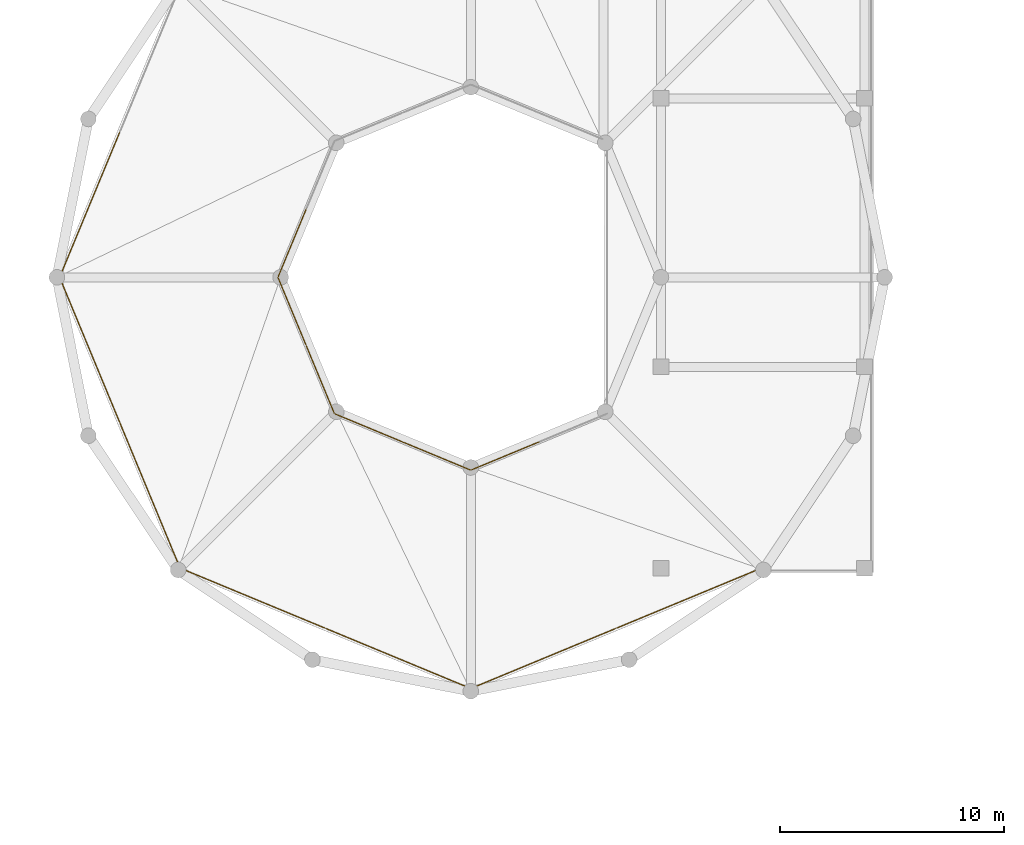
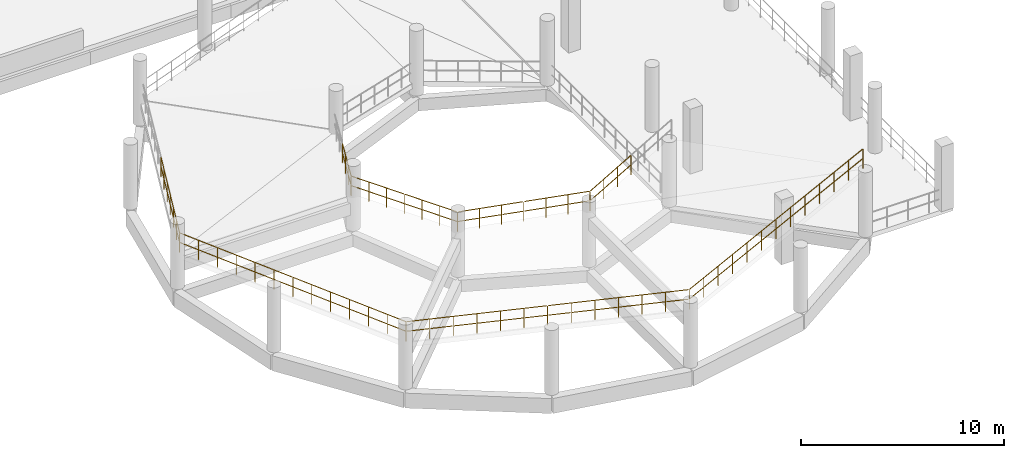
# One storey, part 66 of 76: 13 railings.
"""IFC4 building model written with IfcOpenShell, lengths in metres."""

import ifcopenshell
import ifcopenshell.guid

model = None  # the IFC model being written
_history = None  # IfcOwnerHistory: only IFC2X3 demands one
_inside = {}  # id of a spatial element -> (the spatial element, [elements in it])
_under = {}  # id of a project, library or spatial element -> (it, [spatial elements below it])
_declared = {}  # id of a project -> (the project, [libraries it declares])
_typed = {}  # id of a type object -> (the type object, [elements of that type])
_made_of = {}  # id of a material, layer set ... -> (it, [elements and type objects made of it])


def new_model(schema):
    """Start an empty IFC model of exactly this schema.

    Asked for "IFC4X3", IfcOpenShell would pick the latest addendum, in which some entities
    have other attributes; the version numbers below select the first issue.
    IFC2X3 requires an IfcOwnerHistory on every rooted entity: one is made here for all.
    """
    global model, _history
    if schema == "IFC4X3":
        model = ifcopenshell.file(schema_version=(4, 3, 0, 0))
    else:
        model = ifcopenshell.file(schema=schema)
    _inside.clear()
    _under.clear()
    _declared.clear()
    _typed.clear()
    _made_of.clear()
    _history = None
    if model.schema == "IFC2X3":
        org = make("IfcOrganization", Name="unknown")
        user = make(
            "IfcPersonAndOrganization",
            ThePerson=make("IfcPerson", FamilyName="unknown"),
            TheOrganization=org,
        )
        app = make(
            "IfcApplication",
            ApplicationDeveloper=org,
            Version="unknown",
            ApplicationFullName="unknown",
            ApplicationIdentifier="unknown",
        )
        _history = make(
            "IfcOwnerHistory",
            OwningUser=user,
            OwningApplication=app,
            ChangeAction="ADDED",
            CreationDate=0,
        )
    return model


def make(cls, **values):
    """One entity of the class cls with the attributes given. An attribute that is None is left unset."""
    return model.create_entity(
        cls, **{name: value for name, value in values.items() if value is not None}
    )


def rooted(cls, **values):
    """An entity with a GlobalId (a new one), such as an element, a storey or a relation."""
    return make(cls, GlobalId=ifcopenshell.guid.new(), OwnerHistory=_history, **values)


def si_unit(unit_type, name, prefix=None):
    """IfcSIUnit, for example si_unit("LENGTHUNIT", "METRE", prefix="MILLI")."""
    return make("IfcSIUnit", UnitType=unit_type, Prefix=prefix, Name=name)


def derived_unit(unit_type, elements):
    """IfcDerivedUnit: a product of units, each with its exponent."""
    return make(
        "IfcDerivedUnit",
        Elements=[
            make("IfcDerivedUnitElement", Unit=unit, Exponent=power)
            for unit, power in elements
        ],
        UnitType=unit_type,
    )


def assignment(units):
    """IfcUnitAssignment: the units of a project."""
    return None if units is None else make("IfcUnitAssignment", Units=units)


def point(xyz):
    """IfcCartesianPoint."""
    return None if xyz is None else make("IfcCartesianPoint", Coordinates=xyz)


def direction(xyz):
    """IfcDirection."""
    return None if xyz is None else make("IfcDirection", DirectionRatios=xyz)


def frame(location, z_axis=None, x_axis=None):
    """IfcAxis2Placement3D, a coordinate frame: its origin and axes. An axis left out is left unset."""
    return make(
        "IfcAxis2Placement3D",
        Location=point(location),
        Axis=direction(z_axis),
        RefDirection=direction(x_axis),
    )


def frame_2d(location, x_axis=None):
    """IfcAxis2Placement2D, a coordinate frame in the plane: its origin and x axis."""
    return make(
        "IfcAxis2Placement2D", Location=point(location), RefDirection=direction(x_axis)
    )


def origin():
    """The frame at (0, 0, 0) with its axes left unset."""
    return frame((0.0, 0.0, 0.0))


def origin_2d():
    """The frame at (0, 0) in the plane with its x axis left unset."""
    return frame_2d((0.0, 0.0))


def place(relative_to, where):
    """IfcLocalPlacement: puts the frame where relative to a parent placement (None: the world)."""
    return make(
        "IfcLocalPlacement", PlacementRelTo=relative_to, RelativePlacement=where
    )


def context(
    kind, dimensions, precision=None, world=None, true_north=None, identifier=None
):
    """IfcGeometricRepresentationContext, for example the 3D "Model" context."""
    return make(
        "IfcGeometricRepresentationContext",
        ContextIdentifier=identifier,
        ContextType=kind,
        CoordinateSpaceDimension=dimensions,
        Precision=precision,
        WorldCoordinateSystem=world,
        TrueNorth=true_north,
    )


def subcontext(parent, identifier, kind, view, scale=None):
    """IfcGeometricRepresentationSubContext, for example "Body" below "Model"."""
    return make(
        "IfcGeometricRepresentationSubContext",
        ContextIdentifier=identifier,
        ContextType=kind,
        ParentContext=parent,
        TargetScale=scale,
        TargetView=view,
    )


def project(units=None, contexts=None):
    """IfcProject with its units and contexts."""
    return rooted(
        "IfcProject",
        Name="project",
        RepresentationContexts=contexts,
        UnitsInContext=assignment(units),
    )


def spatial(cls, under=None, at=None, **own):
    """A site, building, storey or space (cls), placed at a placement, below another one or the project."""
    s = rooted(cls, ObjectPlacement=at, **own)
    if under is not None:
        _under.setdefault(under.id(), (under, []))[1].append(s)
    return s


def profile(cls, at=None, kind="AREA", **sizes):
    """A parametric profile (cls). Its sizes go by their IFC names, for example OverallWidth=200.0."""
    return make(cls, ProfileType=kind, Position=at, **sizes)


def circle(**sizes):
    """IfcCircleProfileDef."""
    return profile("IfcCircleProfileDef", **sizes)


def extrude(swept, where, along, depth):
    """IfcExtrudedAreaSolid: the profile swept, set in the frame where, extruded along a direction by depth."""
    return make(
        "IfcExtrudedAreaSolid",
        SweptArea=swept,
        Position=where,
        ExtrudedDirection=direction(along),
        Depth=depth,
    )


def shape(context_of_items, identifier, shape_type, items):
    """IfcShapeRepresentation: the items that make up one representation, for example the "Body"."""
    return make(
        "IfcShapeRepresentation",
        ContextOfItems=context_of_items,
        RepresentationIdentifier=identifier,
        RepresentationType=shape_type,
        Items=items,
    )


def material(Name=None, Category=None):
    """IfcMaterial."""
    return make("IfcMaterial", Name=Name, Category=Category)


def made_of(thing, what):
    """Note that an element or type object is made of a material, layer set ...; save() writes the relation."""
    if what is not None:
        _made_of.setdefault(what.id(), (what, []))[1].append(thing)
    return thing


def type_object(cls, material=None, **own):
    """A type object (cls), such as IfcWallType, which elements share."""
    return made_of(rooted(cls, **own), material)


def element(
    cls,
    number,
    at=None,
    inside=None,
    cuts=None,
    type_object=None,
    material=None,
    context=None,
    identifier="Body",
    shape_type=None,
    held_by="IfcProductDefinitionShape",
    body=None,
    shapes=None,
    **own,
):
    """One element of the class cls, such as IfcWall. Its Tag is "e" and its number.

    at: its placement. inside: the storey or other place that contains it. cuts: it is an
    opening in that element (IfcRelVoidsElement). A single representation is given by context,
    identifier, shape_type and body (its items); several are given by shapes. held_by: the class
    of the entity that holds the representations. save() writes the other relations.
    """
    e = rooted(cls, Tag="e%d" % number, ObjectPlacement=at, **own)
    if body is not None:
        shapes = [shape(context, identifier, shape_type, body)]
    if shapes is not None:
        e.Representation = make(held_by, Representations=shapes)
    if inside is not None:
        _inside.setdefault(inside.id(), (inside, []))[1].append(e)
    if cuts is not None:
        rooted(
            "IfcRelVoidsElement", RelatingBuildingElement=cuts, RelatedOpeningElement=e
        )
    if type_object is not None:
        _typed.setdefault(type_object.id(), (type_object, []))[1].append(e)
    return made_of(e, material)


def aggregate(whole, parts):
    """IfcRelAggregates: a whole, such as a stair, and the parts it consists of."""
    return rooted("IfcRelAggregates", RelatingObject=whole, RelatedObjects=parts)


def save(model, path):
    """Write the relations noted so far, then the file.

    IfcRelAggregates (storeys below a building ...), IfcRelContainedInSpatialStructure (elements
    in a storey), IfcRelDefinesByType, IfcRelAssociatesMaterial and IfcRelDeclares: one each for
    every whole, place, type object, material and project.
    """
    for whole, parts in _under.values():
        aggregate(whole, parts)
    for where, things in _inside.values():
        rooted(
            "IfcRelContainedInSpatialStructure",
            RelatedElements=things,
            RelatingStructure=where,
        )
    for kind, things in _typed.values():
        rooted("IfcRelDefinesByType", RelatedObjects=things, RelatingType=kind)
    for what, things in _made_of.values():
        rooted("IfcRelAssociatesMaterial", RelatedObjects=things, RelatingMaterial=what)
    for by, libraries in _declared.values():
        rooted("IfcRelDeclares", RelatingContext=by, RelatedDefinitions=libraries)
    model.write(path)


model = new_model("IFC4")

# Units and contexts
model_context = context("Model", 3, precision=1e-05, world=origin(), true_north=direction((0.0, 1.0)))
body_context = subcontext(model_context, "Body", "Model", "MODEL_VIEW")
ifc_project = project(units=[si_unit("LENGTHUNIT", "METRE"), si_unit("AREAUNIT", "SQUARE_METRE"), si_unit("VOLUMEUNIT", "CUBIC_METRE"), si_unit("PLANEANGLEUNIT", "RADIAN"), si_unit("MASSUNIT", "GRAM", prefix="KILO"), si_unit("THERMODYNAMICTEMPERATUREUNIT", "KELVIN"), derived_unit("THERMALTRANSMITTANCEUNIT", [(si_unit("POWERUNIT", "WATT"), 1), (si_unit("AREAUNIT", "SQUARE_METRE"), -1), (si_unit("THERMODYNAMICTEMPERATUREUNIT", "KELVIN"), -1)])], contexts=[model_context])

# Site, building, storey
site_placement = place(None, origin())
site = spatial("IfcSite", under=ifc_project, at=site_placement, CompositionType="ELEMENT")
building_placement = place(site_placement, origin())
building = spatial("IfcBuilding", under=site, at=building_placement, Name="Haiyu Intermodal Mobility Hub", CompositionType="ELEMENT")
storey_placement = place(building_placement, frame((0.0, 0.0, 17.300048828125)))
storey = spatial("IfcBuildingStorey", under=building, at=storey_placement, Name="L04", CompositionType="ELEMENT", Elevation=17.300048828125)

# Railings
ifc_material = material(Name="Steel Q355C", Category="steel")
railing_type = type_object("IfcRailingType", Name="RAL-GR01", PredefinedType="GUARDRAIL", material=ifc_material)
railing_1_placement = place(storey_placement, frame((18.31201171875, 66.498046875, 1.625)))
element("IfcRailing", 1, at=railing_1_placement, inside=storey, type_object=railing_type, Name="RAL-VRMP-O-L04-03B", PredefinedType="GUARDRAIL", context=body_context, shape_type="SweptSolid", body=[
    extrude(circle(Radius=0.02392578125, at=origin_2d()), frame((-0.011474609375, -0.027587890625, 1.17724609375), z_axis=(-0.382313907833, -0.922879282684, 0.046150898905), x_axis=(0.923863678282, -0.382721705618, 0.0)), (0.0, 0.0, 1.0), 6.98095703125),
    extrude(circle(Radius=0.02392578125, at=origin_2d()), frame((-0.01416015625, -0.034423828125, 0.601806640625), z_axis=(-0.382313907833, -0.922879282684, 0.046150898905), x_axis=(0.923863678282, -0.382721705618, 0.0)), (0.0, 0.0, 1.0), 1.098876953125),
    extrude(circle(Radius=0.02392578125, at=origin_2d()), frame((-0.462890625, -1.117431640625, 0.65576171875), z_axis=(-0.382313907833, -0.922879282684, 0.046150898905), x_axis=(0.923863678282, -0.382721705618, 0.0)), (0.0, 0.0, 1.0), 1.098876953125),
    extrude(circle(Radius=0.02392578125, at=origin_2d()), frame((-0.91162109375, -2.200439453125, 0.7099609375), z_axis=(-0.382313907833, -0.922879282684, 0.046150898905), x_axis=(0.923863678282, -0.382721705618, 0.0)), (0.0, 0.0, 1.0), 1.098876953125),
    extrude(circle(Radius=0.02392578125, at=origin_2d()), frame((-1.360107421875, -3.283447265625, 0.76416015625), z_axis=(-0.382313907833, -0.922879282684, 0.046150898905), x_axis=(0.923863678282, -0.382721705618, 0.0)), (0.0, 0.0, 1.0), 1.098876953125),
    extrude(circle(Radius=0.02392578125, at=origin_2d()), frame((-1.808837890625, -4.366455078125, 0.818359375), z_axis=(-0.382313907833, -0.922879282684, 0.046150898905), x_axis=(0.923863678282, -0.382721705618, 0.0)), (0.0, 0.0, 1.0), 1.098876953125),
    extrude(circle(Radius=0.02392578125, at=origin_2d()), frame((-2.257568359375, -5.449462890625, 0.87255859375), z_axis=(-0.382313907833, -0.922879282684, 0.046150898905), x_axis=(0.923863678282, -0.382721705618, 0.0)), (0.0, 0.0, 1.0), 1.098876953125),
    extrude(circle(Radius=0.02099609375, at=origin_2d()), origin(), (0.0, 0.0, 1.0), 1.143798828125),
    extrude(circle(Radius=0.02099609375, at=origin_2d()), frame((-0.44873046875, -1.0830078125, 0.05419921875)), (0.0, 0.0, 1.0), 1.143798828125),
    extrude(circle(Radius=0.02099609375, at=origin_2d()), frame((-0.897216796875, -2.166015625, 0.1083984375)), (0.0, 0.0, 1.0), 1.143798828125),
    extrude(circle(Radius=0.02099609375, at=origin_2d()), frame((-1.345947265625, -3.2490234375, 0.16259765625)), (0.0, 0.0, 1.0), 1.143798828125),
    extrude(circle(Radius=0.02099609375, at=origin_2d()), frame((-1.794677734375, -4.33203125, 0.216552734375)), (0.0, 0.0, 1.0), 1.143798828125),
    extrude(circle(Radius=0.02099609375, at=origin_2d()), frame((-2.2431640625, -5.4150390625, 0.270751953125)), (0.0, 0.0, 1.0), 1.143798828125),
    extrude(circle(Radius=0.02099609375, at=origin_2d()), frame((-2.69189453125, -6.498046875, 0.324951171875)), (0.0, 0.0, 1.0), 1.143798828125),
])
railing_2_placement = place(storey_placement, frame((26.64208984375, 63.048095703125, 1.625)))
element("IfcRailing", 2, at=railing_2_placement, inside=storey, type_object=railing_type, Name="RAL-VRMP-I-L04-03B", PredefinedType="GUARDRAIL", context=body_context, shape_type="SweptSolid", body=[
    extrude(circle(Radius=0.02392578125, at=origin_2d()), frame((-0.011474609375, -0.027587890625, 1.178955078125), z_axis=(-0.380748953641, -0.919468217836, 0.098022602959), x_axis=(0.923917630863, -0.382591441855, 0.0)), (0.0, 0.0, 1.0), 3.255126953125),
    extrude(circle(Radius=0.02392578125, at=origin_2d()), frame((-0.01416015625, -0.0341796875, 0.603515625), z_axis=(-0.380748953641, -0.919468217836, 0.098022602959), x_axis=(0.923917630863, -0.382591441855, 0.0)), (0.0, 0.0, 1.0), 1.030517578125),
    extrude(circle(Radius=0.02392578125, at=origin_2d()), frame((-0.434814453125, -1.05029296875, 0.7119140625), z_axis=(-0.380748953641, -0.919468217836, 0.098022602959), x_axis=(0.923917630863, -0.382591441855, 0.0)), (0.0, 0.0, 1.0), 1.030517578125),
    extrude(circle(Radius=0.02392578125, at=origin_2d()), frame((-0.855712890625, -2.06640625, 0.8203125), z_axis=(-0.380748953641, -0.919468217836, 0.098022602959), x_axis=(0.923917630863, -0.382591441855, 0.0)), (0.0, 0.0, 1.0), 1.030517578125),
    extrude(circle(Radius=0.02099609375, at=origin_2d()), origin(), (0.0, 0.0, 1.0), 1.143798828125),
    extrude(circle(Radius=0.02099609375, at=origin_2d()), frame((-0.420654296875, -1.01611328125, 0.1083984375)), (0.0, 0.0, 1.0), 1.143798828125),
    extrude(circle(Radius=0.02099609375, at=origin_2d()), frame((-0.841552734375, -2.031982421875, 0.216552734375)), (0.0, 0.0, 1.0), 1.143798828125),
    extrude(circle(Radius=0.02099609375, at=origin_2d()), frame((-1.26220703125, -3.048095703125, 0.324951171875)), (0.0, 0.0, 1.0), 1.143798828125),
])
railing_3_placement = place(storey_placement, frame((15.6201171875, 60.0, 1.949951171875)))
element("IfcRailing", 3, at=railing_3_placement, inside=storey, type_object=railing_type, Name="RAL-VRMP-O-L04-04A", PredefinedType="GUARDRAIL", context=body_context, shape_type="SweptSolid", body=[
    extrude(circle(Radius=0.02392578125, at=origin_2d()), frame((0.011474609375, -0.027587890625, 1.17724609375), z_axis=(0.382313907833, -0.922879282684, 0.046150898905), x_axis=(0.923863678282, 0.382721705618, 0.0)), (0.0, 0.0, 1.0), 6.98095703125),
    extrude(circle(Radius=0.02392578125, at=origin_2d()), frame((0.01416015625, -0.034423828125, 0.601806640625), z_axis=(0.382313907833, -0.922879282684, 0.046150898905), x_axis=(0.923863678282, 0.382721705618, 0.0)), (0.0, 0.0, 1.0), 1.098876953125),
    extrude(circle(Radius=0.02392578125, at=origin_2d()), frame((0.462890625, -1.117431640625, 0.65576171875), z_axis=(0.382313907833, -0.922879282684, 0.046150898905), x_axis=(0.923863678282, 0.382721705618, 0.0)), (0.0, 0.0, 1.0), 1.098876953125),
    extrude(circle(Radius=0.02392578125, at=origin_2d()), frame((0.91162109375, -2.200439453125, 0.7099609375), z_axis=(0.382313907833, -0.922879282684, 0.046150898905), x_axis=(0.923863678282, 0.382721705618, 0.0)), (0.0, 0.0, 1.0), 1.098876953125),
    extrude(circle(Radius=0.02392578125, at=origin_2d()), frame((1.360107421875, -3.283447265625, 0.76416015625), z_axis=(0.382313907833, -0.922879282684, 0.046150898905), x_axis=(0.923863678282, 0.382721705618, 0.0)), (0.0, 0.0, 1.0), 1.098876953125),
    extrude(circle(Radius=0.02392578125, at=origin_2d()), frame((1.808837890625, -4.366455078125, 0.818359375), z_axis=(0.382313907833, -0.922879282684, 0.046150898905), x_axis=(0.923863678282, 0.382721705618, 0.0)), (0.0, 0.0, 1.0), 1.098876953125),
    extrude(circle(Radius=0.02392578125, at=origin_2d()), frame((2.257568359375, -5.449462890625, 0.87255859375), z_axis=(0.382313907833, -0.922879282684, 0.046150898905), x_axis=(0.923863678282, 0.382721705618, 0.0)), (0.0, 0.0, 1.0), 1.098876953125),
    extrude(circle(Radius=0.02099609375, at=origin_2d()), origin(), (0.0, 0.0, 1.0), 1.143798828125),
    extrude(circle(Radius=0.02099609375, at=origin_2d()), frame((0.44873046875, -1.0830078125, 0.05419921875)), (0.0, 0.0, 1.0), 1.143798828125),
    extrude(circle(Radius=0.02099609375, at=origin_2d()), frame((0.897216796875, -2.166015625, 0.1083984375)), (0.0, 0.0, 1.0), 1.143798828125),
    extrude(circle(Radius=0.02099609375, at=origin_2d()), frame((1.345947265625, -3.2490234375, 0.16259765625)), (0.0, 0.0, 1.0), 1.143798828125),
    extrude(circle(Radius=0.02099609375, at=origin_2d()), frame((1.794677734375, -4.33203125, 0.216552734375)), (0.0, 0.0, 1.0), 1.143798828125),
    extrude(circle(Radius=0.02099609375, at=origin_2d()), frame((2.2431640625, -5.4150390625, 0.270751953125)), (0.0, 0.0, 1.0), 1.143798828125),
    extrude(circle(Radius=0.02099609375, at=origin_2d()), frame((2.69189453125, -6.498046875, 0.324951171875)), (0.0, 0.0, 1.0), 1.143798828125),
])
railing_4_placement = place(storey_placement, frame((18.31201171875, 53.501953125, 2.27490234375)))
element("IfcRailing", 4, at=railing_4_placement, inside=storey, type_object=railing_type, Name="RAL-VRMP-O-L04-04B", PredefinedType="GUARDRAIL", context=body_context, shape_type="SweptSolid", body=[
    extrude(circle(Radius=0.02392578125, at=origin_2d()), frame((0.011474609375, -0.027587890625, 1.17724609375), z_axis=(0.382313907833, -0.922879282684, 0.046150898905), x_axis=(0.923863678282, 0.382721705618, 0.0)), (0.0, 0.0, 1.0), 6.98095703125),
    extrude(circle(Radius=0.02392578125, at=origin_2d()), frame((0.01416015625, -0.034423828125, 0.601806640625), z_axis=(0.382313907833, -0.922879282684, 0.046150898905), x_axis=(0.923863678282, 0.382721705618, 0.0)), (0.0, 0.0, 1.0), 1.098876953125),
    extrude(circle(Radius=0.02392578125, at=origin_2d()), frame((0.462890625, -1.117431640625, 0.65576171875), z_axis=(0.382313907833, -0.922879282684, 0.046150898905), x_axis=(0.923863678282, 0.382721705618, 0.0)), (0.0, 0.0, 1.0), 1.098876953125),
    extrude(circle(Radius=0.02392578125, at=origin_2d()), frame((0.91162109375, -2.200439453125, 0.7099609375), z_axis=(0.382313907833, -0.922879282684, 0.046150898905), x_axis=(0.923863678282, 0.382721705618, 0.0)), (0.0, 0.0, 1.0), 1.098876953125),
    extrude(circle(Radius=0.02392578125, at=origin_2d()), frame((1.360107421875, -3.283447265625, 0.76416015625), z_axis=(0.382313907833, -0.922879282684, 0.046150898905), x_axis=(0.923863678282, 0.382721705618, 0.0)), (0.0, 0.0, 1.0), 1.098876953125),
    extrude(circle(Radius=0.02392578125, at=origin_2d()), frame((1.808837890625, -4.366455078125, 0.818359375), z_axis=(0.382313907833, -0.922879282684, 0.046150898905), x_axis=(0.923863678282, 0.382721705618, 0.0)), (0.0, 0.0, 1.0), 1.098876953125),
    extrude(circle(Radius=0.02392578125, at=origin_2d()), frame((2.257568359375, -5.449462890625, 0.87255859375), z_axis=(0.382313907833, -0.922879282684, 0.046150898905), x_axis=(0.923863678282, 0.382721705618, 0.0)), (0.0, 0.0, 1.0), 1.098876953125),
    extrude(circle(Radius=0.02099609375, at=origin_2d()), origin(), (0.0, 0.0, 1.0), 1.143798828125),
    extrude(circle(Radius=0.02099609375, at=origin_2d()), frame((0.44873046875, -1.0830078125, 0.05419921875)), (0.0, 0.0, 1.0), 1.143798828125),
    extrude(circle(Radius=0.02099609375, at=origin_2d()), frame((0.897216796875, -2.166015625, 0.1083984375)), (0.0, 0.0, 1.0), 1.143798828125),
    extrude(circle(Radius=0.02099609375, at=origin_2d()), frame((1.345947265625, -3.2490234375, 0.16259765625)), (0.0, 0.0, 1.0), 1.143798828125),
    extrude(circle(Radius=0.02099609375, at=origin_2d()), frame((1.794677734375, -4.33203125, 0.216552734375)), (0.0, 0.0, 1.0), 1.143798828125),
    extrude(circle(Radius=0.02099609375, at=origin_2d()), frame((2.2431640625, -5.4150390625, 0.270751953125)), (0.0, 0.0, 1.0), 1.143798828125),
    extrude(circle(Radius=0.02099609375, at=origin_2d()), frame((2.69189453125, -6.498046875, 0.324951171875)), (0.0, 0.0, 1.0), 1.143798828125),
])
railing_5_placement = place(storey_placement, frame((25.3798828125, 60.0, 1.949951171875)))
element("IfcRailing", 5, at=railing_5_placement, inside=storey, type_object=railing_type, Name="RAL-VRMP-I-L04-04A", PredefinedType="GUARDRAIL", context=body_context, shape_type="SweptSolid", body=[
    extrude(circle(Radius=0.02392578125, at=origin_2d()), frame((0.011474609375, -0.027587890625, 1.178955078125), z_axis=(0.380748953641, -0.919468217836, 0.098022602959), x_axis=(0.923917630863, 0.382591441855, 0.0)), (0.0, 0.0, 1.0), 3.255126953125),
    extrude(circle(Radius=0.02392578125, at=origin_2d()), frame((0.01416015625, -0.0341796875, 0.603515625), z_axis=(0.380748953641, -0.919468217836, 0.098022602959), x_axis=(0.923917630863, 0.382591441855, 0.0)), (0.0, 0.0, 1.0), 1.030517578125),
    extrude(circle(Radius=0.02392578125, at=origin_2d()), frame((0.434814453125, -1.05029296875, 0.7119140625), z_axis=(0.380748953641, -0.919468217836, 0.098022602959), x_axis=(0.923917630863, 0.382591441855, 0.0)), (0.0, 0.0, 1.0), 1.030517578125),
    extrude(circle(Radius=0.02392578125, at=origin_2d()), frame((0.855712890625, -2.06640625, 0.8203125), z_axis=(0.380748953641, -0.919468217836, 0.098022602959), x_axis=(0.923917630863, 0.382591441855, 0.0)), (0.0, 0.0, 1.0), 1.030517578125),
    extrude(circle(Radius=0.02099609375, at=origin_2d()), origin(), (0.0, 0.0, 1.0), 1.143798828125),
    extrude(circle(Radius=0.02099609375, at=origin_2d()), frame((0.420654296875, -1.01611328125, 0.1083984375)), (0.0, 0.0, 1.0), 1.143798828125),
    extrude(circle(Radius=0.02099609375, at=origin_2d()), frame((0.841552734375, -2.031982421875, 0.216552734375)), (0.0, 0.0, 1.0), 1.143798828125),
    extrude(circle(Radius=0.02099609375, at=origin_2d()), frame((1.26220703125, -3.048095703125, 0.324951171875)), (0.0, 0.0, 1.0), 1.143798828125),
])
railing_6_placement = place(storey_placement, frame((26.64208984375, 56.951904296875, 2.27490234375)))
element("IfcRailing", 6, at=railing_6_placement, inside=storey, type_object=railing_type, Name="RAL-VRMP-I-L04-04B", PredefinedType="GUARDRAIL", context=body_context, shape_type="SweptSolid", body=[
    extrude(circle(Radius=0.02392578125, at=origin_2d()), frame((0.011474609375, -0.027587890625, 1.178955078125), z_axis=(0.381066832043, -0.919333861182, 0.098047545612), x_axis=(0.923784904849, 0.382911803909, 0.0)), (0.0, 0.0, 1.0), 3.254150390625),
    extrude(circle(Radius=0.02392578125, at=origin_2d()), frame((0.01416015625, -0.0341796875, 0.603515625), z_axis=(0.381066832043, -0.919333861182, 0.098047545612), x_axis=(0.923784904849, 0.382911803909, 0.0)), (0.0, 0.0, 1.0), 1.030029296875),
    extrude(circle(Radius=0.02392578125, at=origin_2d()), frame((0.435302734375, -1.0498046875, 0.7119140625), z_axis=(0.381066832043, -0.919333861182, 0.098047545612), x_axis=(0.923784904849, 0.382911803909, 0.0)), (0.0, 0.0, 1.0), 1.030029296875),
    extrude(circle(Radius=0.02392578125, at=origin_2d()), frame((0.856201171875, -2.0654296875, 0.8203125), z_axis=(0.381066832043, -0.919333861182, 0.098047545612), x_axis=(0.923784904849, 0.382911803909, 0.0)), (0.0, 0.0, 1.0), 1.030029296875),
    extrude(circle(Radius=0.02099609375, at=origin_2d()), origin(), (0.0, 0.0, 1.0), 1.143798828125),
    extrude(circle(Radius=0.02099609375, at=origin_2d()), frame((0.4208984375, -1.015625, 0.1083984375)), (0.0, 0.0, 1.0), 1.143798828125),
    extrude(circle(Radius=0.02099609375, at=origin_2d()), frame((0.842041015625, -2.03125, 0.216552734375)), (0.0, 0.0, 1.0), 1.143798828125),
    extrude(circle(Radius=0.02099609375, at=origin_2d()), frame((1.262939453125, -3.046875, 0.324951171875)), (0.0, 0.0, 1.0), 1.143798828125),
])
railing_7_placement = place(storey_placement, frame((21.00390625, 47.00390625, 2.599853515625)))
element("IfcRailing", 7, at=railing_7_placement, inside=storey, type_object=railing_type, Name="RAL-VRMP-O-L04-05A", PredefinedType="GUARDRAIL", context=body_context, shape_type="SweptSolid", body=[
    extrude(circle(Radius=0.02392578125, at=origin_2d()), frame((0.027587890625, -0.011474609375, 1.17724609375), z_axis=(0.922877805314, -0.382313295814, 0.046185498823), x_axis=(0.382721705618, 0.923863678282, 0.0)), (0.0, 0.0, 1.0), 6.98095703125),
    extrude(circle(Radius=0.02392578125, at=origin_2d()), frame((0.034423828125, -0.01416015625, 0.601806640625), z_axis=(0.922877805314, -0.382313295814, 0.046185498823), x_axis=(0.382721705618, 0.923863678282, 0.0)), (0.0, 0.0, 1.0), 1.098876953125),
    extrude(circle(Radius=0.02392578125, at=origin_2d()), frame((1.117431640625, -0.462890625, 0.656005859375), z_axis=(0.922877805314, -0.382313295814, 0.046185498823), x_axis=(0.382721705618, 0.923863678282, 0.0)), (0.0, 0.0, 1.0), 1.098876953125),
    extrude(circle(Radius=0.02392578125, at=origin_2d()), frame((2.200439453125, -0.91162109375, 0.710205078125), z_axis=(0.922877805314, -0.382313295814, 0.046185498823), x_axis=(0.382721705618, 0.923863678282, 0.0)), (0.0, 0.0, 1.0), 1.098876953125),
    extrude(circle(Radius=0.02392578125, at=origin_2d()), frame((3.283447265625, -1.360107421875, 0.764404296875), z_axis=(0.922877805314, -0.382313295814, 0.046185498823), x_axis=(0.382721705618, 0.923863678282, 0.0)), (0.0, 0.0, 1.0), 1.098876953125),
    extrude(circle(Radius=0.02392578125, at=origin_2d()), frame((4.366455078125, -1.808837890625, 0.818603515625), z_axis=(0.922877805314, -0.382313295814, 0.046185498823), x_axis=(0.382721705618, 0.923863678282, 0.0)), (0.0, 0.0, 1.0), 1.098876953125),
    extrude(circle(Radius=0.02392578125, at=origin_2d()), frame((5.449462890625, -2.257568359375, 0.872802734375), z_axis=(0.922877805314, -0.382313295814, 0.046185498823), x_axis=(0.382721705618, 0.923863678282, 0.0)), (0.0, 0.0, 1.0), 1.098876953125),
    extrude(circle(Radius=0.02099609375, at=origin_2d()), origin(), (0.0, 0.0, 1.0), 1.143798828125),
    extrude(circle(Radius=0.02099609375, at=origin_2d()), frame((1.0830078125, -0.44873046875, 0.05419921875)), (0.0, 0.0, 1.0), 1.143798828125),
    extrude(circle(Radius=0.02099609375, at=origin_2d()), frame((2.166015625, -0.897216796875, 0.1083984375)), (0.0, 0.0, 1.0), 1.143798828125),
    extrude(circle(Radius=0.02099609375, at=origin_2d()), frame((3.2490234375, -1.345947265625, 0.16259765625)), (0.0, 0.0, 1.0), 1.143798828125),
    extrude(circle(Radius=0.02099609375, at=origin_2d()), frame((4.33203125, -1.794677734375, 0.216796875)), (0.0, 0.0, 1.0), 1.143798828125),
    extrude(circle(Radius=0.02099609375, at=origin_2d()), frame((5.4150390625, -2.2431640625, 0.27099609375)), (0.0, 0.0, 1.0), 1.143798828125),
    extrude(circle(Radius=0.02099609375, at=origin_2d()), frame((6.498046875, -2.69189453125, 0.3251953125)), (0.0, 0.0, 1.0), 1.143798828125),
])
railing_8_placement = place(storey_placement, frame((27.501953125, 44.31201171875, 2.925048828125)))
element("IfcRailing", 8, at=railing_8_placement, inside=storey, type_object=railing_type, Name="RAL-VRMP-O-L04-05B", PredefinedType="GUARDRAIL", context=body_context, shape_type="SweptSolid", body=[
    extrude(circle(Radius=0.02392578125, at=origin_2d()), frame((0.027587890625, -0.011474609375, 1.17724609375), z_axis=(0.922879282684, -0.382313907833, 0.046150898905), x_axis=(0.382721705618, 0.923863678282, 0.0)), (0.0, 0.0, 1.0), 6.98095703125),
    extrude(circle(Radius=0.02392578125, at=origin_2d()), frame((0.034423828125, -0.01416015625, 0.601806640625), z_axis=(0.922879282684, -0.382313907833, 0.046150898905), x_axis=(0.382721705618, 0.923863678282, 0.0)), (0.0, 0.0, 1.0), 1.098876953125),
    extrude(circle(Radius=0.02392578125, at=origin_2d()), frame((1.117431640625, -0.462890625, 0.65576171875), z_axis=(0.922879282684, -0.382313907833, 0.046150898905), x_axis=(0.382721705618, 0.923863678282, 0.0)), (0.0, 0.0, 1.0), 1.098876953125),
    extrude(circle(Radius=0.02392578125, at=origin_2d()), frame((2.200439453125, -0.91162109375, 0.7099609375), z_axis=(0.922879282684, -0.382313907833, 0.046150898905), x_axis=(0.382721705618, 0.923863678282, 0.0)), (0.0, 0.0, 1.0), 1.098876953125),
    extrude(circle(Radius=0.02392578125, at=origin_2d()), frame((3.283447265625, -1.360107421875, 0.76416015625), z_axis=(0.922879282684, -0.382313907833, 0.046150898905), x_axis=(0.382721705618, 0.923863678282, 0.0)), (0.0, 0.0, 1.0), 1.098876953125),
    extrude(circle(Radius=0.02392578125, at=origin_2d()), frame((4.366455078125, -1.808837890625, 0.818359375), z_axis=(0.922879282684, -0.382313907833, 0.046150898905), x_axis=(0.382721705618, 0.923863678282, 0.0)), (0.0, 0.0, 1.0), 1.098876953125),
    extrude(circle(Radius=0.02392578125, at=origin_2d()), frame((5.449462890625, -2.257568359375, 0.87255859375), z_axis=(0.922879282684, -0.382313907833, 0.046150898905), x_axis=(0.382721705618, 0.923863678282, 0.0)), (0.0, 0.0, 1.0), 1.098876953125),
    extrude(circle(Radius=0.02099609375, at=origin_2d()), origin(), (0.0, 0.0, 1.0), 1.143798828125),
    extrude(circle(Radius=0.02099609375, at=origin_2d()), frame((1.0830078125, -0.44873046875, 0.05419921875)), (0.0, 0.0, 1.0), 1.143798828125),
    extrude(circle(Radius=0.02099609375, at=origin_2d()), frame((2.166015625, -0.897216796875, 0.1083984375)), (0.0, 0.0, 1.0), 1.143798828125),
    extrude(circle(Radius=0.02099609375, at=origin_2d()), frame((3.2490234375, -1.345947265625, 0.16259765625)), (0.0, 0.0, 1.0), 1.143798828125),
    extrude(circle(Radius=0.02099609375, at=origin_2d()), frame((4.33203125, -1.794677734375, 0.216552734375)), (0.0, 0.0, 1.0), 1.143798828125),
    extrude(circle(Radius=0.02099609375, at=origin_2d()), frame((5.4150390625, -2.2431640625, 0.270751953125)), (0.0, 0.0, 1.0), 1.143798828125),
    extrude(circle(Radius=0.02099609375, at=origin_2d()), frame((6.498046875, -2.69189453125, 0.324951171875)), (0.0, 0.0, 1.0), 1.143798828125),
])
railing_9_placement = place(storey_placement, frame((27.905029296875, 53.905029296875, 2.599853515625)))
element("IfcRailing", 9, at=railing_9_placement, inside=storey, type_object=railing_type, Name="RAL-VRMP-I-L04-05A", PredefinedType="GUARDRAIL", context=body_context, shape_type="SweptSolid", body=[
    extrude(circle(Radius=0.02392578125, at=origin_2d()), frame((0.027587890625, -0.011474609375, 1.178955078125), z_axis=(0.919327218751, -0.381064078734, 0.098120501232), x_axis=(0.382911803909, 0.923784904849, 0.0)), (0.0, 0.0, 1.0), 3.254150390625),
    extrude(circle(Radius=0.02392578125, at=origin_2d()), frame((0.0341796875, -0.01416015625, 0.603515625), z_axis=(0.919327218751, -0.381064078734, 0.098120501232), x_axis=(0.382911803909, 0.923784904849, 0.0)), (0.0, 0.0, 1.0), 1.0302734375),
    extrude(circle(Radius=0.02392578125, at=origin_2d()), frame((1.0498046875, -0.435302734375, 0.7119140625), z_axis=(0.919327218751, -0.381064078734, 0.098120501232), x_axis=(0.382911803909, 0.923784904849, 0.0)), (0.0, 0.0, 1.0), 1.0302734375),
    extrude(circle(Radius=0.02392578125, at=origin_2d()), frame((2.0654296875, -0.856201171875, 0.8203125), z_axis=(0.919327218751, -0.381064078734, 0.098120501232), x_axis=(0.382911803909, 0.923784904849, 0.0)), (0.0, 0.0, 1.0), 1.0302734375),
    extrude(circle(Radius=0.02099609375, at=origin_2d()), origin(), (0.0, 0.0, 1.0), 1.143798828125),
    extrude(circle(Radius=0.02099609375, at=origin_2d()), frame((1.015625, -0.4208984375, 0.1083984375)), (0.0, 0.0, 1.0), 1.143798828125),
    extrude(circle(Radius=0.02099609375, at=origin_2d()), frame((2.03125, -0.842041015625, 0.216796875)), (0.0, 0.0, 1.0), 1.143798828125),
    extrude(circle(Radius=0.02099609375, at=origin_2d()), frame((3.046875, -1.262939453125, 0.3251953125)), (0.0, 0.0, 1.0), 1.143798828125),
])
railing_10_placement = place(storey_placement, frame((30.951904296875, 52.64208984375, 2.925048828125)))
element("IfcRailing", 10, at=railing_10_placement, inside=storey, type_object=railing_type, Name="RAL-VRMP-I-L04-05B", PredefinedType="GUARDRAIL", context=body_context, shape_type="SweptSolid", body=[
    extrude(circle(Radius=0.02392578125, at=origin_2d()), frame((0.027587890625, -0.011474609375, 1.178955078125), z_axis=(0.919468217836, -0.380748953641, 0.098022602959), x_axis=(0.382591441855, 0.923917630863, 0.0)), (0.0, 0.0, 1.0), 3.255126953125),
    extrude(circle(Radius=0.02392578125, at=origin_2d()), frame((0.0341796875, -0.01416015625, 0.603515625), z_axis=(0.919468217836, -0.380748953641, 0.098022602959), x_axis=(0.382591441855, 0.923917630863, 0.0)), (0.0, 0.0, 1.0), 1.030517578125),
    extrude(circle(Radius=0.02392578125, at=origin_2d()), frame((1.05029296875, -0.434814453125, 0.7119140625), z_axis=(0.919468217836, -0.380748953641, 0.098022602959), x_axis=(0.382591441855, 0.923917630863, 0.0)), (0.0, 0.0, 1.0), 1.030517578125),
    extrude(circle(Radius=0.02392578125, at=origin_2d()), frame((2.06640625, -0.855712890625, 0.8203125), z_axis=(0.919468217836, -0.380748953641, 0.098022602959), x_axis=(0.382591441855, 0.923917630863, 0.0)), (0.0, 0.0, 1.0), 1.030517578125),
    extrude(circle(Radius=0.02099609375, at=origin_2d()), origin(), (0.0, 0.0, 1.0), 1.143798828125),
    extrude(circle(Radius=0.02099609375, at=origin_2d()), frame((1.01611328125, -0.420654296875, 0.1083984375)), (0.0, 0.0, 1.0), 1.143798828125),
    extrude(circle(Radius=0.02099609375, at=origin_2d()), frame((2.031982421875, -0.841552734375, 0.216552734375)), (0.0, 0.0, 1.0), 1.143798828125),
    extrude(circle(Radius=0.02099609375, at=origin_2d()), frame((3.048095703125, -1.26220703125, 0.324951171875)), (0.0, 0.0, 1.0), 1.143798828125),
])
railing_11_placement = place(storey_placement, frame((34.0, 41.6201171875, 3.25)))
element("IfcRailing", 11, at=railing_11_placement, inside=storey, type_object=railing_type, Name="RAL-VRMP-O-L04-06A", PredefinedType="GUARDRAIL", context=body_context, shape_type="SweptSolid", body=[
    extrude(circle(Radius=0.02392578125, at=origin_2d()), frame((0.027587890625, 0.011474609375, 1.17724609375), z_axis=(0.922879282684, 0.382313907833, 0.046150898905), x_axis=(-0.382721705618, 0.923863678282, 0.0)), (0.0, 0.0, 1.0), 6.98095703125),
    extrude(circle(Radius=0.02392578125, at=origin_2d()), frame((0.034423828125, 0.01416015625, 0.601806640625), z_axis=(0.922879282684, 0.382313907833, 0.046150898905), x_axis=(-0.382721705618, 0.923863678282, 0.0)), (0.0, 0.0, 1.0), 1.098876953125),
    extrude(circle(Radius=0.02392578125, at=origin_2d()), frame((1.117431640625, 0.462890625, 0.65576171875), z_axis=(0.922879282684, 0.382313907833, 0.046150898905), x_axis=(-0.382721705618, 0.923863678282, 0.0)), (0.0, 0.0, 1.0), 1.098876953125),
    extrude(circle(Radius=0.02392578125, at=origin_2d()), frame((2.200439453125, 0.91162109375, 0.7099609375), z_axis=(0.922879282684, 0.382313907833, 0.046150898905), x_axis=(-0.382721705618, 0.923863678282, 0.0)), (0.0, 0.0, 1.0), 1.098876953125),
    extrude(circle(Radius=0.02392578125, at=origin_2d()), frame((3.283447265625, 1.360107421875, 0.76416015625), z_axis=(0.922879282684, 0.382313907833, 0.046150898905), x_axis=(-0.382721705618, 0.923863678282, 0.0)), (0.0, 0.0, 1.0), 1.098876953125),
    extrude(circle(Radius=0.02392578125, at=origin_2d()), frame((4.366455078125, 1.808837890625, 0.818359375), z_axis=(0.922879282684, 0.382313907833, 0.046150898905), x_axis=(-0.382721705618, 0.923863678282, 0.0)), (0.0, 0.0, 1.0), 1.098876953125),
    extrude(circle(Radius=0.02392578125, at=origin_2d()), frame((5.449462890625, 2.257568359375, 0.87255859375), z_axis=(0.922879282684, 0.382313907833, 0.046150898905), x_axis=(-0.382721705618, 0.923863678282, 0.0)), (0.0, 0.0, 1.0), 1.098876953125),
    extrude(circle(Radius=0.02099609375, at=origin_2d()), origin(), (0.0, 0.0, 1.0), 1.143798828125),
    extrude(circle(Radius=0.02099609375, at=origin_2d()), frame((1.0830078125, 0.44873046875, 0.05419921875)), (0.0, 0.0, 1.0), 1.143798828125),
    extrude(circle(Radius=0.02099609375, at=origin_2d()), frame((2.166015625, 0.897216796875, 0.1083984375)), (0.0, 0.0, 1.0), 1.143798828125),
    extrude(circle(Radius=0.02099609375, at=origin_2d()), frame((3.2490234375, 1.345947265625, 0.16259765625)), (0.0, 0.0, 1.0), 1.143798828125),
    extrude(circle(Radius=0.02099609375, at=origin_2d()), frame((4.33203125, 1.794677734375, 0.216552734375)), (0.0, 0.0, 1.0), 1.143798828125),
    extrude(circle(Radius=0.02099609375, at=origin_2d()), frame((5.4150390625, 2.2431640625, 0.270751953125)), (0.0, 0.0, 1.0), 1.143798828125),
    extrude(circle(Radius=0.02099609375, at=origin_2d()), frame((6.498046875, 2.69189453125, 0.324951171875)), (0.0, 0.0, 1.0), 1.143798828125),
])
railing_12_placement = place(storey_placement, frame((40.498046875, 44.31201171875, 3.574951171875)))
element("IfcRailing", 12, at=railing_12_placement, inside=storey, type_object=railing_type, Name="RAL-VRMP-O-L04-06B", PredefinedType="GUARDRAIL", context=body_context, shape_type="SweptSolid", body=[
    extrude(circle(Radius=0.02392578125, at=origin_2d()), frame((0.027587890625, 0.011474609375, 1.17724609375), z_axis=(0.922879282684, 0.382313907833, 0.046150898905), x_axis=(-0.382721705618, 0.923863678282, 0.0)), (0.0, 0.0, 1.0), 6.98095703125),
    extrude(circle(Radius=0.02392578125, at=origin_2d()), frame((0.034423828125, 0.01416015625, 0.601806640625), z_axis=(0.922879282684, 0.382313907833, 0.046150898905), x_axis=(-0.382721705618, 0.923863678282, 0.0)), (0.0, 0.0, 1.0), 1.098876953125),
    extrude(circle(Radius=0.02392578125, at=origin_2d()), frame((1.117431640625, 0.462890625, 0.65576171875), z_axis=(0.922879282684, 0.382313907833, 0.046150898905), x_axis=(-0.382721705618, 0.923863678282, 0.0)), (0.0, 0.0, 1.0), 1.098876953125),
    extrude(circle(Radius=0.02392578125, at=origin_2d()), frame((2.200439453125, 0.91162109375, 0.7099609375), z_axis=(0.922879282684, 0.382313907833, 0.046150898905), x_axis=(-0.382721705618, 0.923863678282, 0.0)), (0.0, 0.0, 1.0), 1.098876953125),
    extrude(circle(Radius=0.02392578125, at=origin_2d()), frame((3.283447265625, 1.360107421875, 0.76416015625), z_axis=(0.922879282684, 0.382313907833, 0.046150898905), x_axis=(-0.382721705618, 0.923863678282, 0.0)), (0.0, 0.0, 1.0), 1.098876953125),
    extrude(circle(Radius=0.02392578125, at=origin_2d()), frame((4.366455078125, 1.808837890625, 0.818359375), z_axis=(0.922879282684, 0.382313907833, 0.046150898905), x_axis=(-0.382721705618, 0.923863678282, 0.0)), (0.0, 0.0, 1.0), 1.098876953125),
    extrude(circle(Radius=0.02392578125, at=origin_2d()), frame((5.449462890625, 2.257568359375, 0.87255859375), z_axis=(0.922879282684, 0.382313907833, 0.046150898905), x_axis=(-0.382721705618, 0.923863678282, 0.0)), (0.0, 0.0, 1.0), 1.098876953125),
    extrude(circle(Radius=0.02099609375, at=origin_2d()), origin(), (0.0, 0.0, 1.0), 1.143798828125),
    extrude(circle(Radius=0.02099609375, at=origin_2d()), frame((1.0830078125, 0.44873046875, 0.05419921875)), (0.0, 0.0, 1.0), 1.143798828125),
    extrude(circle(Radius=0.02099609375, at=origin_2d()), frame((2.166015625, 0.897216796875, 0.1083984375)), (0.0, 0.0, 1.0), 1.143798828125),
    extrude(circle(Radius=0.02099609375, at=origin_2d()), frame((3.2490234375, 1.345947265625, 0.16259765625)), (0.0, 0.0, 1.0), 1.143798828125),
    extrude(circle(Radius=0.02099609375, at=origin_2d()), frame((4.33203125, 1.794677734375, 0.216552734375)), (0.0, 0.0, 1.0), 1.143798828125),
    extrude(circle(Radius=0.02099609375, at=origin_2d()), frame((5.4150390625, 2.2431640625, 0.270751953125)), (0.0, 0.0, 1.0), 1.143798828125),
    extrude(circle(Radius=0.02099609375, at=origin_2d()), frame((6.498046875, 2.69189453125, 0.324951171875)), (0.0, 0.0, 1.0), 1.143798828125),
])
railing_13_placement = place(storey_placement, frame((34.0, 51.3798828125, 3.25)))
element("IfcRailing", 13, at=railing_13_placement, inside=storey, type_object=railing_type, Name="RAL-VRMP-I-L04-06A", PredefinedType="GUARDRAIL", context=body_context, shape_type="SweptSolid", body=[
    extrude(circle(Radius=0.02392578125, at=origin_2d()), frame((0.027587890625, 0.011474609375, 1.178955078125), z_axis=(0.919468217836, 0.380748953641, 0.098022602959), x_axis=(-0.382591441855, 0.923917630863, 0.0)), (0.0, 0.0, 1.0), 3.255126953125),
    extrude(circle(Radius=0.02392578125, at=origin_2d()), frame((0.0341796875, 0.01416015625, 0.603515625), z_axis=(0.919468217836, 0.380748953641, 0.098022602959), x_axis=(-0.382591441855, 0.923917630863, 0.0)), (0.0, 0.0, 1.0), 1.030517578125),
    extrude(circle(Radius=0.02392578125, at=origin_2d()), frame((1.05029296875, 0.434814453125, 0.7119140625), z_axis=(0.919468217836, 0.380748953641, 0.098022602959), x_axis=(-0.382591441855, 0.923917630863, 0.0)), (0.0, 0.0, 1.0), 1.030517578125),
    extrude(circle(Radius=0.02392578125, at=origin_2d()), frame((2.06640625, 0.855712890625, 0.8203125), z_axis=(0.919468217836, 0.380748953641, 0.098022602959), x_axis=(-0.382591441855, 0.923917630863, 0.0)), (0.0, 0.0, 1.0), 1.030517578125),
    extrude(circle(Radius=0.02099609375, at=origin_2d()), origin(), (0.0, 0.0, 1.0), 1.143798828125),
    extrude(circle(Radius=0.02099609375, at=origin_2d()), frame((1.01611328125, 0.420654296875, 0.1083984375)), (0.0, 0.0, 1.0), 1.143798828125),
    extrude(circle(Radius=0.02099609375, at=origin_2d()), frame((2.031982421875, 0.841552734375, 0.216552734375)), (0.0, 0.0, 1.0), 1.143798828125),
    extrude(circle(Radius=0.02099609375, at=origin_2d()), frame((3.048095703125, 1.26220703125, 0.324951171875)), (0.0, 0.0, 1.0), 1.143798828125),
])

save(model, "model.ifc")
